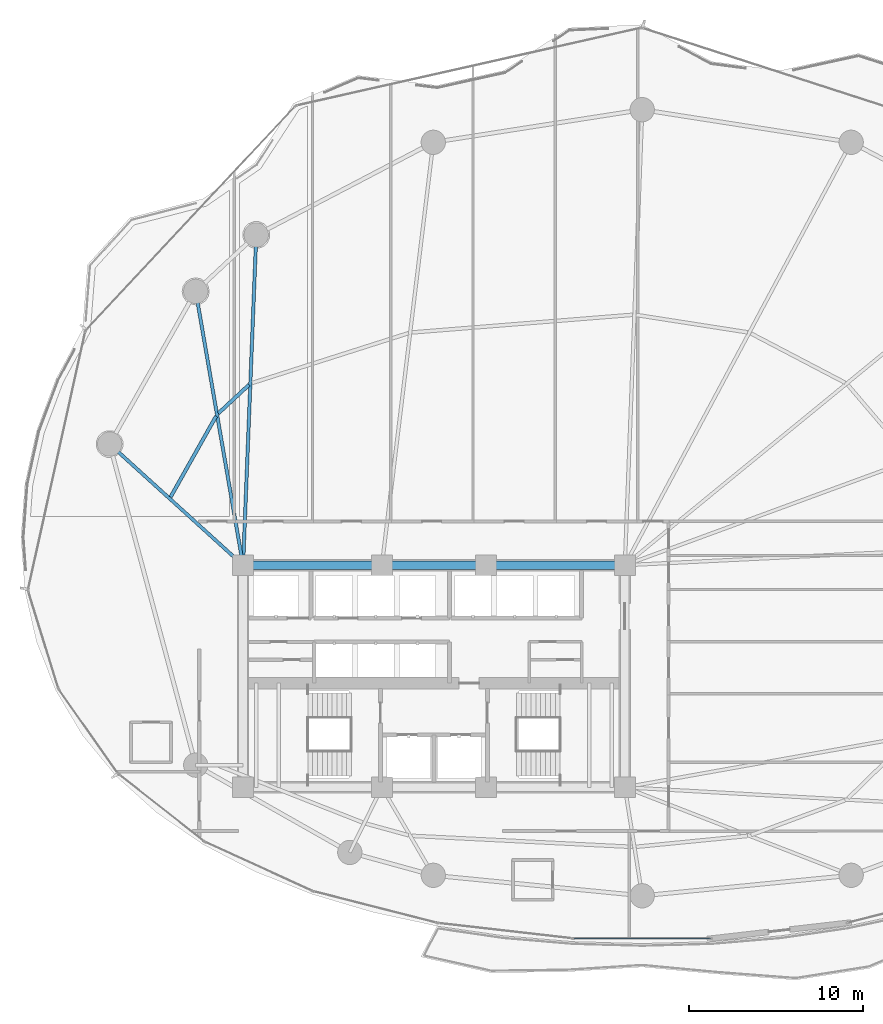
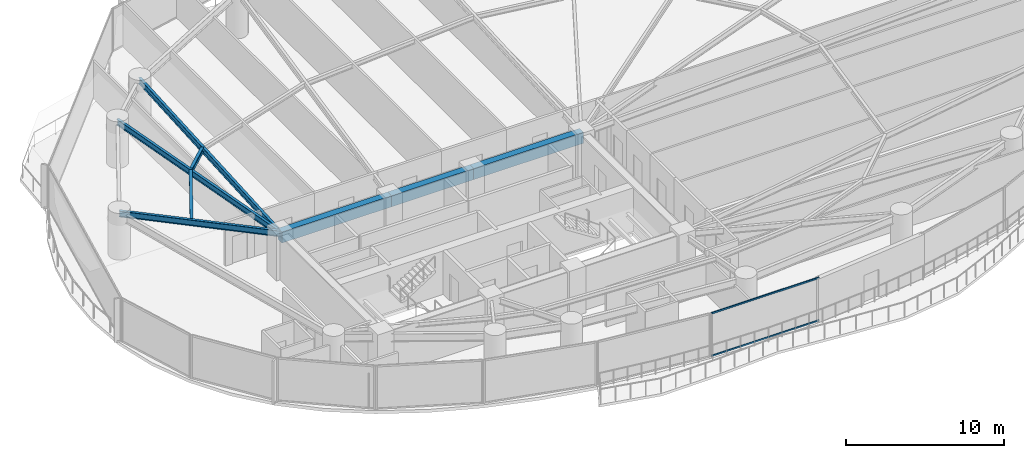
# One storey, part 9 of 33: 8 beams, 2 members, 1 element without a shape of its own.
"""IFC4 building model written with IfcOpenShell, lengths in metres."""

from ifc_helpers import new_model, si_unit, direction, frame, origin, origin_2d, place, context, subcontext, project, spatial, rectangle, hollow_rectangle, i_section, extrude, material, layer, layer_set, material_profile, profile_set, type_object, element, aggregate, save


model = new_model("IFC4")

# Units and contexts
model_context = context("Model", 3, precision=1e-05, world=origin(), true_north=direction((0.0, 1.0)))
body_context = subcontext(model_context, "Body", "Model", "MODEL_VIEW")
ifc_project = project(units=[si_unit("LENGTHUNIT", "METRE"), si_unit("AREAUNIT", "SQUARE_METRE"), si_unit("VOLUMEUNIT", "CUBIC_METRE"), si_unit("PLANEANGLEUNIT", "RADIAN"), si_unit("MASSUNIT", "GRAM", prefix="KILO")], contexts=[model_context])

# Site, building, storey
site_placement = place(None, origin())
site = spatial("IfcSite", under=ifc_project, at=site_placement, CompositionType="ELEMENT")
building_placement = place(site_placement, origin())
building = spatial("IfcBuilding", under=site, at=building_placement, Name="Kazevale Care Tower and Concert Hall", CompositionType="ELEMENT")
storey_placement = place(building_placement, frame((0.0, 0.0, 45.60009765625)))
storey = spatial("IfcBuildingStorey", under=building, at=storey_placement, Name="L11", CompositionType="ELEMENT", Elevation=45.60009765625)

# Curtain wall, members
ifc_material_1 = material(Name="Aluminium 6063-T6 and Low-E Glass", Category="aluminium")
ifc_layer = layer(ifc_material_1, 0.179931640625)
ifc_layer_set = layer_set([ifc_layer], Name="Aluminium 6063-T6 and Low-E Glass")
curtain_wall_type = type_object("IfcCurtainWallType", Name="Sheltered Concave Balcony Curtain Wall CW-5", PredefinedType="NOTDEFINED", material=ifc_layer_set)
curtain_wall_placement = place(storey_placement, origin())
curtain_wall = element("IfcCurtainWall", 1, at=curtain_wall_placement, inside=storey, type_object=curtain_wall_type, Name="cw:L11:f06", PredefinedType="NOTDEFINED")
ifc_material_2 = material(Name="Aluminium 6063-T6", Category="aluminium")
ifc_material_profile_1 = material_profile(ifc_material_2, hollow_rectangle(XDim=0.074951171875, YDim=0.1201171875, WallThickness=0.00390625, at=origin_2d()), Name="ALU75x120x4")
ifc_profile_set_1 = profile_set([ifc_material_profile_1], Name="Aluminium 6063-T6")
member_type = type_object("IfcMemberType", Name="CW-5 Transom ALU75x120x4", PredefinedType="USERDEFINED", material=ifc_profile_set_1)
member_1_placement = place(storey_placement, frame((48.923095703125, 14.889892578125, 0.037353515625), z_axis=(-1.0, 0.0, 0.0), x_axis=(0.0, -1.0, 0.0)))
member_1 = element("IfcMember", 2, at=member_1_placement, type_object=member_type, Name="CW-5 transom 1.1", ObjectType="TRANSOM", PredefinedType="USERDEFINED", context=body_context, shape_type="SweptSolid", body=[
    extrude(hollow_rectangle(XDim=0.074951171875, YDim=0.1201171875, WallThickness=0.00390625, at=origin_2d()), origin(), (0.0, 0.0, 1.0), 7.84619140625),
])
member_2_placement = place(storey_placement, frame((48.923095703125, 14.889892578125, 3.322509765625), z_axis=(-1.0, 0.0, 0.0), x_axis=(0.0, -1.0, 0.0)))
member_2 = element("IfcMember", 3, at=member_2_placement, type_object=member_type, Name="CW-5 transom 1.2", ObjectType="TRANSOM", PredefinedType="USERDEFINED", context=body_context, shape_type="SweptSolid", body=[
    extrude(hollow_rectangle(XDim=0.074951171875, YDim=0.1201171875, WallThickness=0.00390625, at=origin_2d()), origin(), (0.0, 0.0, 1.0), 7.84619140625),
])
aggregate(curtain_wall, [member_1, member_2])

# Beams
ifc_material_3 = material(Name="Concrete C60", Category="concrete")
ifc_material_profile_2 = material_profile(ifc_material_3, rectangle(XDim=0.5, YDim=0.85009765625, at=origin_2d()), Name="RC-B500x850")
ifc_profile_set_2 = profile_set([ifc_material_profile_2], Name="Concrete C60")
beam_type_1 = type_object("IfcBeamType", Name="Core Coupling Beam RC500x850", PredefinedType="LINTEL", material=ifc_profile_set_2)
beam_1_placement = place(storey_placement, frame((44.0, 36.39990234375, 2.934814453125), z_axis=(-1.0, 0.0, 0.0), x_axis=(0.0, -1.0, 0.0)))
element("IfcBeam", 4, at=beam_1_placement, inside=storey, type_object=beam_type_1, Name="beam:L11:coretie:5", PredefinedType="LINTEL", context=body_context, shape_type="SweptSolid", body=[
    extrude(rectangle(XDim=0.5, YDim=0.85009765625, at=origin_2d()), origin(), (0.0, 0.0, 1.0), 8.0),
])
beam_2_placement = place(storey_placement, frame((36.0, 36.39990234375, 2.934814453125), z_axis=(-1.0, 0.0, 0.0), x_axis=(0.0, -1.0, 0.0)))
element("IfcBeam", 5, at=beam_2_placement, inside=storey, type_object=beam_type_1, Name="beam:L11:coretie:6", PredefinedType="LINTEL", context=body_context, shape_type="SweptSolid", body=[
    extrude(rectangle(XDim=0.5, YDim=0.85009765625, at=origin_2d()), origin(), (0.0, 0.0, 1.0), 6.0),
])
beam_3_placement = place(storey_placement, frame((30.0, 36.39990234375, 2.934814453125), z_axis=(-1.0, 0.0, 0.0), x_axis=(0.0, -1.0, 0.0)))
element("IfcBeam", 6, at=beam_3_placement, inside=storey, type_object=beam_type_1, Name="beam:L11:coretie:7", PredefinedType="LINTEL", context=body_context, shape_type="SweptSolid", body=[
    extrude(rectangle(XDim=0.5, YDim=0.85009765625, at=origin_2d()), origin(), (0.0, 0.0, 1.0), 8.0),
])
ifc_material_4 = material(Name="Steel ASTM A572 Gr 50", Category="steel")
ifc_material_profile_3 = material_profile(ifc_material_4, i_section(OverallWidth=0.19091796875, OverallDepth=0.4599609375, WebThickness=0.010009765625, FlangeThickness=0.01611328125, at=origin_2d()), Name="W460x82")
ifc_profile_set_3 = profile_set([ifc_material_profile_3], Name="Steel ASTM A572 Gr 50")
beam_type_2 = type_object("IfcBeamType", Name="Radial Floor Beam W460x82", PredefinedType="BEAM", material=ifc_profile_set_3)
beam_4_placement = place(storey_placement, frame((22.0, 36.39990234375, 3.1298828125), z_axis=(0.039905581428, 0.999203455044, 0.0), x_axis=(-0.999203455044, 0.039905581428, 0.0)))
element("IfcBeam", 7, at=beam_4_placement, inside=storey, type_object=beam_type_2, Name="beam:L11:rad:07", PredefinedType="BEAM", context=body_context, shape_type="SweptSolid", body=[
    extrude(i_section(OverallWidth=0.19091796875, OverallDepth=0.4599609375, WebThickness=0.010009765625, FlangeThickness=0.01611328125, at=origin_2d()), origin(), (0.0, 0.0, 1.0), 19.045166015625),
])
beam_5_placement = place(storey_placement, frame((22.0, 36.39990234375, 3.1298828125), z_axis=(-0.170469986865, 0.985362868987, 0.0), x_axis=(-0.985362868987, -0.170469986865, 0.0)))
element("IfcBeam", 8, at=beam_5_placement, inside=storey, type_object=beam_type_2, Name="beam:L11:rad:08", PredefinedType="BEAM", context=body_context, shape_type="SweptSolid", body=[
    extrude(i_section(OverallWidth=0.19091796875, OverallDepth=0.4599609375, WebThickness=0.010009765625, FlangeThickness=0.01611328125, at=origin_2d()), origin(), (0.0, 0.0, 1.0), 16.014404296875),
])
beam_6_placement = place(storey_placement, frame((22.0, 36.39990234375, 3.1298828125), z_axis=(-0.740461073653, 0.672099247436, 0.0), x_axis=(-0.672099247436, -0.740461073653, 0.0)))
element("IfcBeam", 9, at=beam_6_placement, inside=storey, type_object=beam_type_2, Name="beam:L11:rad:09", PredefinedType="BEAM", context=body_context, shape_type="SweptSolid", body=[
    extrude(i_section(OverallWidth=0.19091796875, OverallDepth=0.4599609375, WebThickness=0.010009765625, FlangeThickness=0.01611328125, at=origin_2d()), origin(), (0.0, 0.0, 1.0), 10.38525390625),
])
ifc_material_profile_4 = material_profile(ifc_material_4, i_section(OverallWidth=0.205078125, OverallDepth=0.35400390625, WebThickness=0.009521484375, FlangeThickness=0.016845703125, at=origin_2d()), Name="W360x79")
ifc_profile_set_4 = profile_set([ifc_material_profile_4], Name="Steel ASTM A572 Gr 50")
beam_type_3 = type_object("IfcBeamType", Name="Secondary Floor Joist W360x79", PredefinedType="JOIST", material=ifc_profile_set_4)
beam_7_placement = place(storey_placement, frame((22.341064453125, 46.794921875, 3.182861328125), z_axis=(-0.73194965424, -0.68135871878, 0.0), x_axis=(0.68135871878, -0.73194965424, 0.0)))
element("IfcBeam", 10, at=beam_7_placement, inside=storey, type_object=beam_type_3, Name="beam:L11:joist:07", PredefinedType="JOIST", context=body_context, shape_type="SweptSolid", body=[
    extrude(i_section(OverallWidth=0.205078125, OverallDepth=0.35400390625, WebThickness=0.009521484375, FlangeThickness=0.016845703125, at=origin_2d()), origin(), (0.0, 0.0, 1.0), 2.412841796875),
])
beam_8_placement = place(storey_placement, frame((20.447021484375, 44.988037109375, 3.182861328125), z_axis=(-0.490956987312, -0.871183813331, 0.0), x_axis=(0.871183813331, -0.490956987312, 0.0)))
element("IfcBeam", 11, at=beam_8_placement, inside=storey, type_object=beam_type_3, Name="beam:L11:joist:08", PredefinedType="JOIST", context=body_context, shape_type="SweptSolid", body=[
    extrude(i_section(OverallWidth=0.205078125, OverallDepth=0.35400390625, WebThickness=0.009521484375, FlangeThickness=0.016845703125, at=origin_2d()), origin(), (0.0, 0.0, 1.0), 5.3466796875),
])

save(model, "model.ifc")
